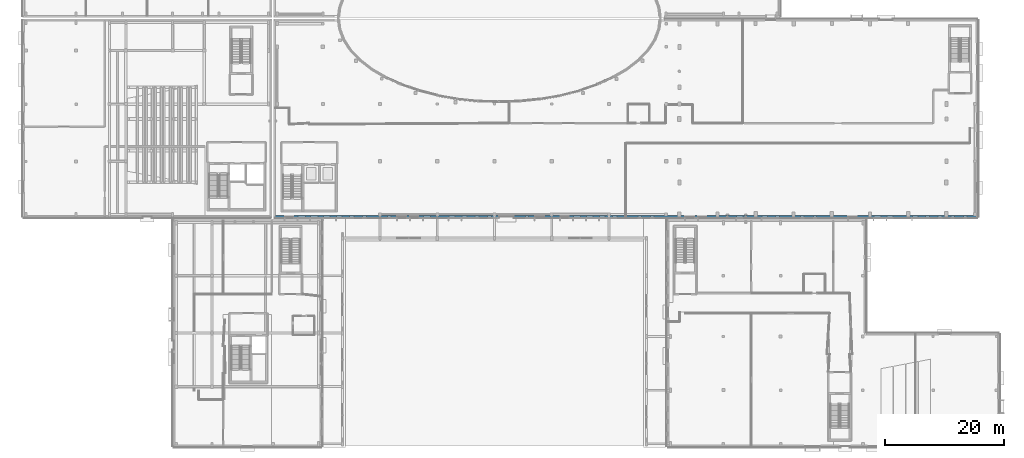
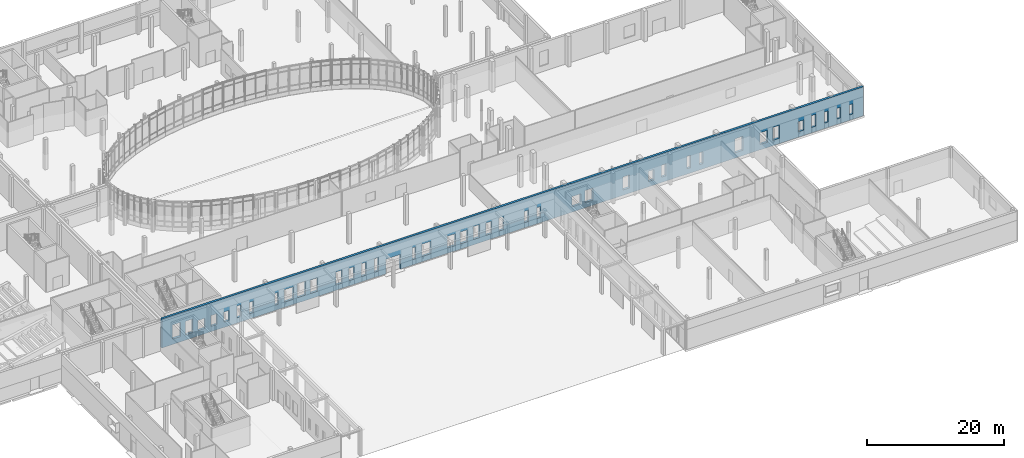
# One storey, part 44 of 84: 1 wall, 40 openings.
"""IFC4 building model written with IfcOpenShell, lengths in metres."""

from ifc_helpers import new_model, si_unit, direction, frame, frame_2d, origin, place, context, subcontext, project, spatial, rectangle, extrude, material, layer, layer_set, type_object, element, save


model = new_model("IFC4")

# Units and contexts
model_context = context("Model", 3, precision=1e-05, world=origin(), true_north=direction((0.0, 1.0)))
body_context = subcontext(model_context, "Body", "Model", "MODEL_VIEW")
ifc_project = project(units=[si_unit("LENGTHUNIT", "METRE"), si_unit("AREAUNIT", "SQUARE_METRE"), si_unit("VOLUMEUNIT", "CUBIC_METRE"), si_unit("PLANEANGLEUNIT", "RADIAN"), si_unit("MASSUNIT", "GRAM", prefix="KILO")], contexts=[model_context])

# Site, building, storey
site_placement = place(None, origin())
site = spatial("IfcSite", under=ifc_project, at=site_placement, CompositionType="ELEMENT")
building_placement = place(site_placement, origin())
building = spatial("IfcBuilding", under=site, at=building_placement, Name="Mzevani Central Library", CompositionType="ELEMENT")
storey_placement = place(building_placement, origin())
storey = spatial("IfcBuildingStorey", under=building, at=storey_placement, Name="L00", CompositionType="ELEMENT", Elevation=0.0)

# Wall, openings
ifc_material = material(Name="Precast concrete C40/50", Category="concrete")
ifc_layer = layer(ifc_material, 0.3798828125, Name="Exterior Thermal Concrete Wall 380")
ifc_layer_set = layer_set([ifc_layer], Name="Precast concrete C40/50")
wall_type = type_object("IfcWallType", Name="Exterior Thermal Concrete Wall 380", PredefinedType="STANDARD", material=ifc_layer_set)
wall_placement = place(storey_placement, frame((164.2099609375, 42.68994140625, 0.0), z_axis=(0.0, 0.0, 1.0), x_axis=(-1.0, 0.0, 0.0)))
wall = element("IfcWall", 1, at=wall_placement, inside=storey, type_object=wall_type, Name="L00 V1 Exterior Thermal Wall (2)", PredefinedType="STANDARD", context=body_context, shape_type="SweptSolid", body=[
    extrude(rectangle(XDim=117.919921875, YDim=0.3798828125, at=frame_2d((58.9599609375, 0.0))), origin(), (0.0, 0.0, 1.0), 5.139892578125),
])
opening_1_placement = place(wall_placement, frame((77.806396484375, 0.0, 0.0)))
element("IfcOpeningElement", 2, at=opening_1_placement, cuts=wall, Name="Opening ED-06", PredefinedType="OPENING", context=body_context, shape_type="SweptSolid", body=[
    extrude(rectangle(XDim=2.39990234375, YDim=2.60009765625, at=frame_2d((1.199951171875, 1.300048828125))), frame((0.0, 0.199951171875, 0.0), z_axis=(0.0, -1.0, 0.0), x_axis=(1.0, 0.0, 0.0)), (0.0, 0.0, 1.0), 0.39990234375),
])
opening_2_placement = place(wall_placement, frame((1.77490234375, 0.0, 0.949951171875)))
element("IfcOpeningElement", 3, at=opening_2_placement, cuts=wall, Name="Opening WS-01", PredefinedType="OPENING", context=body_context, shape_type="SweptSolid", body=[
    extrude(rectangle(XDim=0.550048828125, YDim=1.800048828125, at=frame_2d((0.27490234375, 0.89990234375))), frame((0.0, 0.199951171875, 0.0), z_axis=(0.0, -1.0, 0.0), x_axis=(1.0, 0.0, 0.0)), (0.0, 0.0, 1.0), 0.39990234375),
])
opening_3_placement = place(wall_placement, frame((3.85009765625, 0.0, 0.949951171875)))
element("IfcOpeningElement", 4, at=opening_3_placement, cuts=wall, Name="Opening WS-03", PredefinedType="OPENING", context=body_context, shape_type="SweptSolid", body=[
    extrude(rectangle(XDim=0.60009765625, YDim=1.89990234375, at=frame_2d((0.300048828125, 0.949951171875))), frame((0.0, 0.199951171875, 0.0), z_axis=(0.0, -1.0, 0.0), x_axis=(1.0, 0.0, 0.0)), (0.0, 0.0, 1.0), 0.39990234375),
])
opening_4_placement = place(wall_placement, frame((5.925048828125, 0.0, 0.949951171875)))
element("IfcOpeningElement", 5, at=opening_4_placement, cuts=wall, Name="Opening WS-05", PredefinedType="OPENING", context=body_context, shape_type="SweptSolid", body=[
    extrude(rectangle(XDim=0.64990234375, YDim=2.0, at=frame_2d((0.324951171875, 1.0))), frame((0.0, 0.199951171875, 0.0), z_axis=(0.0, -1.0, 0.0), x_axis=(1.0, 0.0, 0.0)), (0.0, 0.0, 1.0), 0.39990234375),
])
opening_5_placement = place(wall_placement, frame((8.0, 0.0, 0.949951171875)))
element("IfcOpeningElement", 6, at=opening_5_placement, cuts=wall, Name="Opening WS-07", PredefinedType="OPENING", context=body_context, shape_type="SweptSolid", body=[
    extrude(rectangle(XDim=0.699951171875, YDim=2.10009765625, at=frame_2d((0.35009765625, 1.050048828125))), frame((0.0, 0.199951171875, 0.0), z_axis=(0.0, -1.0, 0.0), x_axis=(1.0, 0.0, 0.0)), (0.0, 0.0, 1.0), 0.39990234375),
])
opening_6_placement = place(wall_placement, frame((10.0, 0.0, 0.949951171875)))
element("IfcOpeningElement", 7, at=opening_6_placement, cuts=wall, Name="Opening W-01", PredefinedType="OPENING", context=body_context, shape_type="SweptSolid", body=[
    extrude(rectangle(XDim=0.89990234375, YDim=1.800048828125, at=frame_2d((0.449951171875, 0.89990234375))), frame((0.0, 0.199951171875, 0.0), z_axis=(0.0, -1.0, 0.0), x_axis=(1.0, 0.0, 0.0)), (0.0, 0.0, 1.0), 0.39990234375),
])
opening_7_placement = place(wall_placement, frame((14.125, 0.0, 0.949951171875)))
element("IfcOpeningElement", 8, at=opening_7_placement, cuts=wall, Name="Opening W-04", PredefinedType="OPENING", context=body_context, shape_type="SweptSolid", body=[
    extrude(rectangle(XDim=1.050048828125, YDim=2.300048828125, at=frame_2d((0.52490234375, 1.14990234375))), frame((0.0, 0.199951171875, 0.0), z_axis=(0.0, -1.0, 0.0), x_axis=(1.0, 0.0, 0.0)), (0.0, 0.0, 1.0), 0.39990234375),
])
opening_8_placement = place(wall_placement, frame((16.14990234375, 0.0, 0.949951171875)))
element("IfcOpeningElement", 9, at=opening_8_placement, cuts=wall, Name="Opening W-06", PredefinedType="OPENING", context=body_context, shape_type="SweptSolid", body=[
    extrude(rectangle(XDim=1.199951171875, YDim=2.10009765625, at=frame_2d((0.60009765625, 1.050048828125))), frame((0.0, 0.199951171875, 0.0), z_axis=(0.0, -1.0, 0.0), x_axis=(1.0, 0.0, 0.0)), (0.0, 0.0, 1.0), 0.39990234375),
])
opening_9_placement = place(wall_placement, frame((20.27490234375, 0.0, 0.949951171875)))
element("IfcOpeningElement", 10, at=opening_9_placement, cuts=wall, Name="Opening W-09", PredefinedType="OPENING", context=body_context, shape_type="SweptSolid", body=[
    extrude(rectangle(XDim=1.35009765625, YDim=2.5, at=frame_2d((0.675048828125, 1.25))), frame((0.0, 0.199951171875, 0.0), z_axis=(0.0, -1.0, 0.0), x_axis=(1.0, 0.0, 0.0)), (0.0, 0.0, 1.0), 0.39990234375),
])
opening_10_placement = place(wall_placement, frame((26.97509765625, 0.0, 0.949951171875)))
element("IfcOpeningElement", 11, at=opening_10_placement, cuts=wall, Name="Opening WS-02", PredefinedType="OPENING", context=body_context, shape_type="SweptSolid", body=[
    extrude(rectangle(XDim=0.550048828125, YDim=2.10009765625, at=frame_2d((0.27490234375, 1.050048828125))), frame((0.0, 0.199951171875, 0.0), z_axis=(0.0, -1.0, 0.0), x_axis=(1.0, 0.0, 0.0)), (0.0, 0.0, 1.0), 0.39990234375),
])
opening_11_placement = place(wall_placement, frame((29.050048828125, 0.0, 0.949951171875)))
element("IfcOpeningElement", 12, at=opening_11_placement, cuts=wall, Name="Opening WS-04", PredefinedType="OPENING", context=body_context, shape_type="SweptSolid", body=[
    extrude(rectangle(XDim=0.60009765625, YDim=2.199951171875, at=frame_2d((0.300048828125, 1.10009765625))), frame((0.0, 0.199951171875, 0.0), z_axis=(0.0, -1.0, 0.0), x_axis=(1.0, 0.0, 0.0)), (0.0, 0.0, 1.0), 0.39990234375),
])
opening_12_placement = place(wall_placement, frame((33.199951171875, 0.0, 0.949951171875)))
element("IfcOpeningElement", 13, at=opening_12_placement, cuts=wall, Name="Opening WS-07", PredefinedType="OPENING", context=body_context, shape_type="SweptSolid", body=[
    extrude(rectangle(XDim=0.699951171875, YDim=2.10009765625, at=frame_2d((0.35009765625, 1.050048828125))), frame((0.0, 0.199951171875, 0.0), z_axis=(0.0, -1.0, 0.0), x_axis=(1.0, 0.0, 0.0)), (0.0, 0.0, 1.0), 0.39990234375),
])
opening_13_placement = place(wall_placement, frame((35.199951171875, 0.0, 0.949951171875)))
element("IfcOpeningElement", 14, at=opening_13_placement, cuts=wall, Name="Opening W-01", PredefinedType="OPENING", context=body_context, shape_type="SweptSolid", body=[
    extrude(rectangle(XDim=0.89990234375, YDim=1.800048828125, at=frame_2d((0.449951171875, 0.89990234375))), frame((0.0, 0.199951171875, 0.0), z_axis=(0.0, -1.0, 0.0), x_axis=(1.0, 0.0, 0.0)), (0.0, 0.0, 1.0), 0.39990234375),
])
opening_14_placement = place(wall_placement, frame((39.324951171875, 0.0, 0.949951171875)))
element("IfcOpeningElement", 15, at=opening_14_placement, cuts=wall, Name="Opening W-04", PredefinedType="OPENING", context=body_context, shape_type="SweptSolid", body=[
    extrude(rectangle(XDim=1.050048828125, YDim=2.300048828125, at=frame_2d((0.52490234375, 1.14990234375))), frame((0.0, 0.199951171875, 0.0), z_axis=(0.0, -1.0, 0.0), x_axis=(1.0, 0.0, 0.0)), (0.0, 0.0, 1.0), 0.39990234375),
])
opening_15_placement = place(wall_placement, frame((45.47509765625, 0.0, 0.949951171875)))
element("IfcOpeningElement", 16, at=opening_15_placement, cuts=wall, Name="Opening W-08", PredefinedType="OPENING", context=body_context, shape_type="SweptSolid", body=[
    extrude(rectangle(XDim=1.35009765625, YDim=2.10009765625, at=frame_2d((0.675048828125, 1.050048828125))), frame((0.0, 0.199951171875, 0.0), z_axis=(0.0, -1.0, 0.0), x_axis=(1.0, 0.0, 0.0)), (0.0, 0.0, 1.0), 0.39990234375),
])
opening_16_placement = place(wall_placement, frame((47.5, 0.0, 0.949951171875)))
element("IfcOpeningElement", 17, at=opening_16_placement, cuts=wall, Name="Opening W-10", PredefinedType="OPENING", context=body_context, shape_type="SweptSolid", body=[
    extrude(rectangle(XDim=1.5, YDim=1.800048828125, at=frame_2d((0.75, 0.89990234375))), frame((0.0, 0.199951171875, 0.0), z_axis=(0.0, -1.0, 0.0), x_axis=(1.0, 0.0, 0.0)), (0.0, 0.0, 1.0), 0.39990234375),
])
opening_17_placement = place(wall_placement, frame((54.25, 0.0, 0.949951171875)))
element("IfcOpeningElement", 18, at=opening_17_placement, cuts=wall, Name="Opening WS-03", PredefinedType="OPENING", context=body_context, shape_type="SweptSolid", body=[
    extrude(rectangle(XDim=0.60009765625, YDim=1.89990234375, at=frame_2d((0.300048828125, 0.949951171875))), frame((0.0, 0.199951171875, 0.0), z_axis=(0.0, -1.0, 0.0), x_axis=(1.0, 0.0, 0.0)), (0.0, 0.0, 1.0), 0.39990234375),
])
opening_18_placement = place(wall_placement, frame((56.324951171875, 0.0, 0.949951171875)))
element("IfcOpeningElement", 19, at=opening_18_placement, cuts=wall, Name="Opening WS-05", PredefinedType="OPENING", context=body_context, shape_type="SweptSolid", body=[
    extrude(rectangle(XDim=0.64990234375, YDim=2.0, at=frame_2d((0.324951171875, 1.0))), frame((0.0, 0.199951171875, 0.0), z_axis=(0.0, -1.0, 0.0), x_axis=(1.0, 0.0, 0.0)), (0.0, 0.0, 1.0), 0.39990234375),
])
opening_19_placement = place(wall_placement, frame((60.47509765625, 0.0, 0.949951171875)))
element("IfcOpeningElement", 20, at=opening_19_placement, cuts=wall, Name="Opening WS-08", PredefinedType="OPENING", context=body_context, shape_type="SweptSolid", body=[
    extrude(rectangle(XDim=0.75, YDim=2.300048828125, at=frame_2d((0.375, 1.14990234375))), frame((0.0, 0.199951171875, 0.0), z_axis=(0.0, -1.0, 0.0), x_axis=(1.0, 0.0, 0.0)), (0.0, 0.0, 1.0), 0.39990234375),
])
opening_20_placement = place(wall_placement, frame((62.5, 0.0, 0.949951171875)))
element("IfcOpeningElement", 21, at=opening_20_placement, cuts=wall, Name="Opening W-02", PredefinedType="OPENING", context=body_context, shape_type="SweptSolid", body=[
    extrude(rectangle(XDim=0.89990234375, YDim=2.199951171875, at=frame_2d((0.449951171875, 1.10009765625))), frame((0.0, 0.199951171875, 0.0), z_axis=(0.0, -1.0, 0.0), x_axis=(1.0, 0.0, 0.0)), (0.0, 0.0, 1.0), 0.39990234375),
])
opening_21_placement = place(wall_placement, frame((64.52490234375, 0.0, 0.949951171875)))
element("IfcOpeningElement", 22, at=opening_21_placement, cuts=wall, Name="Opening W-04", PredefinedType="OPENING", context=body_context, shape_type="SweptSolid", body=[
    extrude(rectangle(XDim=1.050048828125, YDim=2.300048828125, at=frame_2d((0.52490234375, 1.14990234375))), frame((0.0, 0.199951171875, 0.0), z_axis=(0.0, -1.0, 0.0), x_axis=(1.0, 0.0, 0.0)), (0.0, 0.0, 1.0), 0.39990234375),
])
opening_22_placement = place(wall_placement, frame((66.550048828125, 0.0, 0.949951171875)))
element("IfcOpeningElement", 23, at=opening_22_placement, cuts=wall, Name="Opening W-06", PredefinedType="OPENING", context=body_context, shape_type="SweptSolid", body=[
    extrude(rectangle(XDim=1.199951171875, YDim=2.10009765625, at=frame_2d((0.60009765625, 1.050048828125))), frame((0.0, 0.199951171875, 0.0), z_axis=(0.0, -1.0, 0.0), x_axis=(1.0, 0.0, 0.0)), (0.0, 0.0, 1.0), 0.39990234375),
])
opening_23_placement = place(wall_placement, frame((68.574951171875, 0.0, 0.949951171875)))
element("IfcOpeningElement", 24, at=opening_23_placement, cuts=wall, Name="Opening W-08", PredefinedType="OPENING", context=body_context, shape_type="SweptSolid", body=[
    extrude(rectangle(XDim=1.35009765625, YDim=2.10009765625, at=frame_2d((0.675048828125, 1.050048828125))), frame((0.0, 0.199951171875, 0.0), z_axis=(0.0, -1.0, 0.0), x_axis=(1.0, 0.0, 0.0)), (0.0, 0.0, 1.0), 0.39990234375),
])
opening_24_placement = place(wall_placement, frame((72.699951171875, 0.0, 0.949951171875)))
element("IfcOpeningElement", 25, at=opening_24_placement, cuts=wall, Name="Opening W-11", PredefinedType="OPENING", context=body_context, shape_type="SweptSolid", body=[
    extrude(rectangle(XDim=1.5, YDim=2.199951171875, at=frame_2d((0.75, 1.10009765625))), frame((0.0, 0.199951171875, 0.0), z_axis=(0.0, -1.0, 0.0), x_axis=(1.0, 0.0, 0.0)), (0.0, 0.0, 1.0), 0.39990234375),
])
opening_25_placement = place(wall_placement, frame((75.27490234375, 0.0, 0.949951171875)))
element("IfcOpeningElement", 26, at=opening_25_placement, cuts=wall, Name="Opening WS-02", PredefinedType="OPENING", context=body_context, shape_type="SweptSolid", body=[
    extrude(rectangle(XDim=0.550048828125, YDim=2.10009765625, at=frame_2d((0.27490234375, 1.050048828125))), frame((0.0, 0.199951171875, 0.0), z_axis=(0.0, -1.0, 0.0), x_axis=(1.0, 0.0, 0.0)), (0.0, 0.0, 1.0), 0.39990234375),
])
opening_26_placement = place(wall_placement, frame((81.52490234375, 0.0, 0.949951171875)))
element("IfcOpeningElement", 27, at=opening_26_placement, cuts=wall, Name="Opening WS-06", PredefinedType="OPENING", context=body_context, shape_type="SweptSolid", body=[
    extrude(rectangle(XDim=0.64990234375, YDim=2.39990234375, at=frame_2d((0.324951171875, 1.199951171875))), frame((0.0, 0.199951171875, 0.0), z_axis=(0.0, -1.0, 0.0), x_axis=(1.0, 0.0, 0.0)), (0.0, 0.0, 1.0), 0.39990234375),
])
opening_27_placement = place(wall_placement, frame((83.574951171875, 0.0, 0.949951171875)))
element("IfcOpeningElement", 28, at=opening_27_placement, cuts=wall, Name="Opening WS-08", PredefinedType="OPENING", context=body_context, shape_type="SweptSolid", body=[
    extrude(rectangle(XDim=0.75, YDim=2.300048828125, at=frame_2d((0.375, 1.14990234375))), frame((0.0, 0.199951171875, 0.0), z_axis=(0.0, -1.0, 0.0), x_axis=(1.0, 0.0, 0.0)), (0.0, 0.0, 1.0), 0.39990234375),
])
opening_28_placement = place(wall_placement, frame((85.60009765625, 0.0, 0.949951171875)))
element("IfcOpeningElement", 29, at=opening_28_placement, cuts=wall, Name="Opening W-02", PredefinedType="OPENING", context=body_context, shape_type="SweptSolid", body=[
    extrude(rectangle(XDim=0.89990234375, YDim=2.199951171875, at=frame_2d((0.449951171875, 1.10009765625))), frame((0.0, 0.199951171875, 0.0), z_axis=(0.0, -1.0, 0.0), x_axis=(1.0, 0.0, 0.0)), (0.0, 0.0, 1.0), 0.39990234375),
])
opening_29_placement = place(wall_placement, frame((87.625, 0.0, 0.949951171875)))
element("IfcOpeningElement", 30, at=opening_29_placement, cuts=wall, Name="Opening W-04", PredefinedType="OPENING", context=body_context, shape_type="SweptSolid", body=[
    extrude(rectangle(XDim=1.050048828125, YDim=2.300048828125, at=frame_2d((0.52490234375, 1.14990234375))), frame((0.0, 0.199951171875, 0.0), z_axis=(0.0, -1.0, 0.0), x_axis=(1.0, 0.0, 0.0)), (0.0, 0.0, 1.0), 0.39990234375),
])
opening_30_placement = place(wall_placement, frame((91.75, 0.0, 0.949951171875)))
element("IfcOpeningElement", 31, at=opening_30_placement, cuts=wall, Name="Opening W-07", PredefinedType="OPENING", context=body_context, shape_type="SweptSolid", body=[
    extrude(rectangle(XDim=1.199951171875, YDim=2.39990234375, at=frame_2d((0.60009765625, 1.199951171875))), frame((0.0, 0.199951171875, 0.0), z_axis=(0.0, -1.0, 0.0), x_axis=(1.0, 0.0, 0.0)), (0.0, 0.0, 1.0), 0.39990234375),
])
opening_31_placement = place(wall_placement, frame((93.77490234375, 0.0, 0.949951171875)))
element("IfcOpeningElement", 32, at=opening_31_placement, cuts=wall, Name="Opening W-09", PredefinedType="OPENING", context=body_context, shape_type="SweptSolid", body=[
    extrude(rectangle(XDim=1.35009765625, YDim=2.5, at=frame_2d((0.675048828125, 1.25))), frame((0.0, 0.199951171875, 0.0), z_axis=(0.0, -1.0, 0.0), x_axis=(1.0, 0.0, 0.0)), (0.0, 0.0, 1.0), 0.39990234375),
])
opening_32_placement = place(wall_placement, frame((95.800048828125, 0.0, 0.949951171875)))
element("IfcOpeningElement", 33, at=opening_32_placement, cuts=wall, Name="Opening W-11", PredefinedType="OPENING", context=body_context, shape_type="SweptSolid", body=[
    extrude(rectangle(XDim=1.5, YDim=2.199951171875, at=frame_2d((0.75, 1.10009765625))), frame((0.0, 0.199951171875, 0.0), z_axis=(0.0, -1.0, 0.0), x_axis=(1.0, 0.0, 0.0)), (0.0, 0.0, 1.0), 0.39990234375),
])
opening_33_placement = place(wall_placement, frame((98.375, 0.0, 0.949951171875)))
element("IfcOpeningElement", 34, at=opening_33_placement, cuts=wall, Name="Opening WS-02", PredefinedType="OPENING", context=body_context, shape_type="SweptSolid", body=[
    extrude(rectangle(XDim=0.550048828125, YDim=2.10009765625, at=frame_2d((0.27490234375, 1.050048828125))), frame((0.0, 0.199951171875, 0.0), z_axis=(0.0, -1.0, 0.0), x_axis=(1.0, 0.0, 0.0)), (0.0, 0.0, 1.0), 0.39990234375),
])
opening_34_placement = place(wall_placement, frame((102.52490234375, 0.0, 0.949951171875)))
element("IfcOpeningElement", 35, at=opening_34_placement, cuts=wall, Name="Opening WS-05", PredefinedType="OPENING", context=body_context, shape_type="SweptSolid", body=[
    extrude(rectangle(XDim=0.64990234375, YDim=2.0, at=frame_2d((0.324951171875, 1.0))), frame((0.0, 0.199951171875, 0.0), z_axis=(0.0, -1.0, 0.0), x_axis=(1.0, 0.0, 0.0)), (0.0, 0.0, 1.0), 0.39990234375),
])
opening_35_placement = place(wall_placement, frame((104.60009765625, 0.0, 0.949951171875)))
element("IfcOpeningElement", 36, at=opening_35_placement, cuts=wall, Name="Opening WS-07", PredefinedType="OPENING", context=body_context, shape_type="SweptSolid", body=[
    extrude(rectangle(XDim=0.699951171875, YDim=2.10009765625, at=frame_2d((0.35009765625, 1.050048828125))), frame((0.0, 0.199951171875, 0.0), z_axis=(0.0, -1.0, 0.0), x_axis=(1.0, 0.0, 0.0)), (0.0, 0.0, 1.0), 0.39990234375),
])
opening_36_placement = place(wall_placement, frame((106.60009765625, 0.0, 0.949951171875)))
element("IfcOpeningElement", 37, at=opening_36_placement, cuts=wall, Name="Opening W-01", PredefinedType="OPENING", context=body_context, shape_type="SweptSolid", body=[
    extrude(rectangle(XDim=0.89990234375, YDim=1.800048828125, at=frame_2d((0.449951171875, 0.89990234375))), frame((0.0, 0.199951171875, 0.0), z_axis=(0.0, -1.0, 0.0), x_axis=(1.0, 0.0, 0.0)), (0.0, 0.0, 1.0), 0.39990234375),
])
opening_37_placement = place(wall_placement, frame((108.625, 0.0, 0.949951171875)))
element("IfcOpeningElement", 38, at=opening_37_placement, cuts=wall, Name="Opening W-03", PredefinedType="OPENING", context=body_context, shape_type="SweptSolid", body=[
    extrude(rectangle(XDim=1.050048828125, YDim=1.89990234375, at=frame_2d((0.52490234375, 0.949951171875))), frame((0.0, 0.199951171875, 0.0), z_axis=(0.0, -1.0, 0.0), x_axis=(1.0, 0.0, 0.0)), (0.0, 0.0, 1.0), 0.39990234375),
])
opening_38_placement = place(wall_placement, frame((110.64990234375, 0.0, 0.949951171875)))
element("IfcOpeningElement", 39, at=opening_38_placement, cuts=wall, Name="Opening W-05", PredefinedType="OPENING", context=body_context, shape_type="SweptSolid", body=[
    extrude(rectangle(XDim=1.199951171875, YDim=1.800048828125, at=frame_2d((0.60009765625, 0.89990234375))), frame((0.0, 0.199951171875, 0.0), z_axis=(0.0, -1.0, 0.0), x_axis=(1.0, 0.0, 0.0)), (0.0, 0.0, 1.0), 0.39990234375),
])
opening_39_placement = place(wall_placement, frame((112.75, 0.0, 0.949951171875)))
element("IfcOpeningElement", 40, at=opening_39_placement, cuts=wall, Name="Opening W-07", PredefinedType="OPENING", context=body_context, shape_type="SweptSolid", body=[
    extrude(rectangle(XDim=1.199951171875, YDim=2.39990234375, at=frame_2d((0.60009765625, 1.199951171875))), frame((0.0, 0.199951171875, 0.0), z_axis=(0.0, -1.0, 0.0), x_axis=(1.0, 0.0, 0.0)), (0.0, 0.0, 1.0), 0.39990234375),
])
opening_40_placement = place(wall_placement, frame((114.77490234375, 0.0, 0.949951171875)))
element("IfcOpeningElement", 41, at=opening_40_placement, cuts=wall, Name="Opening W-09", PredefinedType="OPENING", context=body_context, shape_type="SweptSolid", body=[
    extrude(rectangle(XDim=1.35009765625, YDim=2.5, at=frame_2d((0.675048828125, 1.25))), frame((0.0, 0.199951171875, 0.0), z_axis=(0.0, -1.0, 0.0), x_axis=(1.0, 0.0, 0.0)), (0.0, 0.0, 1.0), 0.39990234375),
])

save(model, "model.ifc")
